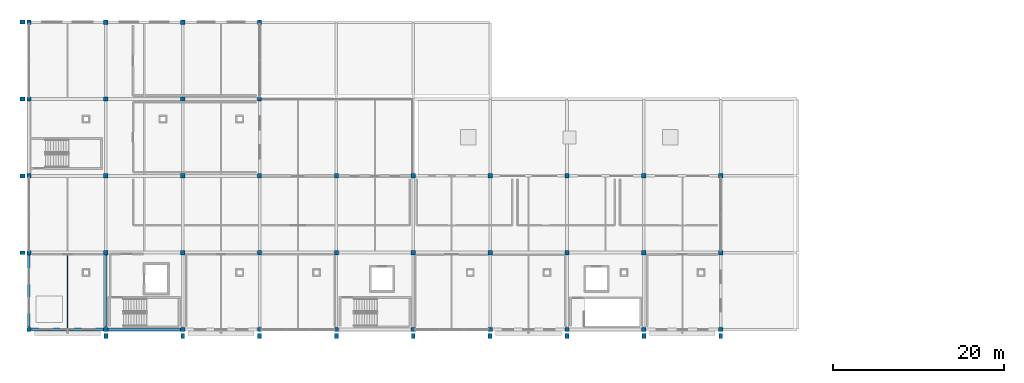
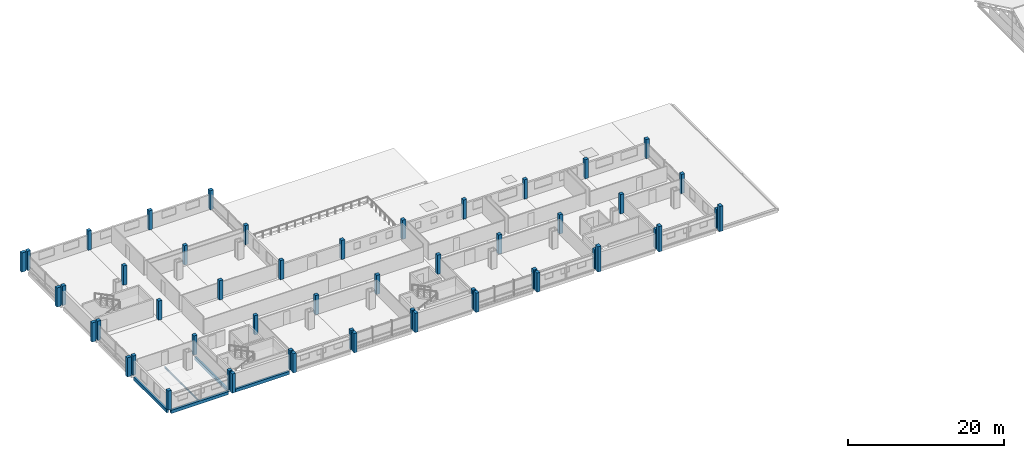
# One storey, part 1 of 25: 51 columns, 5 beams.
"""IFC4 building model written with IfcOpenShell, lengths in metres."""

from ifc_helpers import new_model, si_unit, direction, frame, origin, origin_2d, place, context, subcontext, project, spatial, rectangle, i_section, extrude, material, material_profile, profile_set, type_object, element, save


model = new_model("IFC4")

# Units and contexts
model_context = context("Model", 3, precision=1e-05, world=origin(), true_north=direction((0.0, 1.0)))
body_context = subcontext(model_context, "Body", "Model", "MODEL_VIEW")
ifc_project = project(units=[si_unit("LENGTHUNIT", "METRE"), si_unit("AREAUNIT", "SQUARE_METRE"), si_unit("VOLUMEUNIT", "CUBIC_METRE"), si_unit("PLANEANGLEUNIT", "RADIAN"), si_unit("MASSUNIT", "GRAM", prefix="KILO")], contexts=[model_context])

# Site, building, storey
site_placement = place(None, origin())
site = spatial("IfcSite", under=ifc_project, at=site_placement, CompositionType="ELEMENT")
building_placement = place(site_placement, origin())
building = spatial("IfcBuilding", under=site, at=building_placement, Name="Tharagai Park Tramway Depot", CompositionType="ELEMENT")
storey_placement = place(building_placement, frame((0.0, 0.0, 12.0)))
storey = spatial("IfcBuildingStorey", under=building, at=storey_placement, Name="L03", CompositionType="ELEMENT", Elevation=12.0)

# Columns
ifc_material_1 = material(Name="Concrete M40", Category="concrete")
ifc_material_profile_1 = material_profile(ifc_material_1, rectangle(XDim=0.5, YDim=0.5, at=origin_2d()), Name="RC 500x500")
ifc_profile_set_1 = profile_set([ifc_material_profile_1], Name="Concrete M40")
column_type_1 = type_object("IfcColumnType", Name="CL-13", PredefinedType="COLUMN", material=ifc_profile_set_1)
for number, where, z_axis, x_axis, name in (
    (1, (0.0, 0.0, 0.0), (0.0, 0.0, 1.0), (1.0, 0.0, 0.0), "L03 Structural Column CL-13 (0,0)"),
    (2, (0.0, 9.0, 0.0), (0.0, 0.0, 1.0), (1.0, 0.0, 0.0), "L03 Structural Column CL-13 (0,9)"),
    (3, (0.0, 18.0, 0.0), (0.0, 0.0, 1.0), (1.0, 0.0, 0.0), "L03 Structural Column CL-13 (0,18)"),
    (4, (0.0, 27.0, 0.0), (0.0, 0.0, 1.0), (1.0, 0.0, 0.0), "L03 Structural Column CL-13 (0,27)"),
    (5, (0.0, 36.0, 0.0), (0.0, 0.0, 1.0), (1.0, 0.0, 0.0), "L03 Structural Column CL-13 (0,36)"),
    (6, (9.0, 0.0, 0.0), (0.0, 0.0, 1.0), (1.0, 0.0, 0.0), "L03 Structural Column CL-13 (9,0)"),
    (7, (9.0, 9.0, 0.0), (0.0, 0.0, 1.0), (1.0, 0.0, 0.0), "L03 Structural Column CL-13 (9,9)"),
    (8, (9.0, 18.0, 0.0), (0.0, 0.0, 1.0), (1.0, 0.0, 0.0), "L03 Structural Column CL-13 (9,18)"),
    (9, (9.0, 27.0, 0.0), (0.0, 0.0, 1.0), (1.0, 0.0, 0.0), "L03 Structural Column CL-13 (9,27)"),
    (10, (9.0, 36.0, 0.0), (0.0, 0.0, 1.0), (1.0, 0.0, 0.0), "L03 Structural Column CL-13 (9,36)"),
    (11, (18.0, 0.0, 0.0), (0.0, 0.0, 1.0), (1.0, 0.0, 0.0), "L03 Structural Column CL-13 (18,0)"),
    (12, (18.0, 9.0, 0.0), (0.0, 0.0, 1.0), (1.0, 0.0, 0.0), "L03 Structural Column CL-13 (18,9)"),
    (13, (18.0, 18.0, 0.0), (0.0, 0.0, 1.0), (1.0, 0.0, 0.0), "L03 Structural Column CL-13 (18,18)"),
    (14, (18.0, 27.0, 0.0), (0.0, 0.0, 1.0), (1.0, 0.0, 0.0), "L03 Structural Column CL-13 (18,27)"),
    (15, (18.0, 36.0, 0.0), (0.0, 0.0, 1.0), (1.0, 0.0, 0.0), "L03 Structural Column CL-13 (18,36)"),
    (16, (27.0, 0.0, 0.0), (0.0, 0.0, 1.0), (1.0, 0.0, 0.0), "L03 Structural Column CL-13 (27,0)"),
    (17, (27.0, 9.0, 0.0), (0.0, 0.0, 1.0), (1.0, 0.0, 0.0), "L03 Structural Column CL-13 (27,9)"),
    (18, (27.0, 18.0, 0.0), (0.0, 0.0, 1.0), (1.0, 0.0, 0.0), "L03 Structural Column CL-13 (27,18)"),
    (19, (27.0, 27.0, 0.0), (0.0, 0.0, 1.0), (1.0, 0.0, 0.0), "L03 Structural Column CL-13 (27,27)"),
    (20, (27.0, 36.0, 0.0), (0.0, 0.0, 1.0), (1.0, 0.0, 0.0), "L03 Structural Column CL-13 (27,36)"),
    (21, (36.0, 0.0, 0.0), (0.0, 0.0, 1.0), (1.0, 0.0, 0.0), "L03 Structural Column CL-13 (36,0)"),
    (22, (36.0, 9.0, 0.0), (0.0, 0.0, 1.0), (1.0, 0.0, 0.0), "L03 Structural Column CL-13 (36,9)"),
    (23, (36.0, 18.0, 0.0), (0.0, 0.0, 1.0), (1.0, 0.0, 0.0), "L03 Structural Column CL-13 (36,18)"),
    (24, (45.0, 0.0, 0.0), (0.0, 0.0, 1.0), (1.0, 0.0, 0.0), "L03 Structural Column CL-13 (45,0)"),
    (25, (45.0, 9.0, 0.0), (0.0, 0.0, 1.0), (1.0, 0.0, 0.0), "L03 Structural Column CL-13 (45,9)"),
    (26, (45.0, 18.0, 0.0), (0.0, 0.0, 1.0), (1.0, 0.0, 0.0), "L03 Structural Column CL-13 (45,18)"),
    (27, (54.0, 0.0, 0.0), (0.0, 0.0, 1.0), (1.0, 0.0, 0.0), "L03 Structural Column CL-13 (54,0)"),
    (28, (54.0, 9.0, 0.0), (0.0, 0.0, 1.0), (1.0, 0.0, 0.0), "L03 Structural Column CL-13 (54,9)"),
    (29, (54.0, 18.0, 0.0), (0.0, 0.0, 1.0), (1.0, 0.0, 0.0), "L03 Structural Column CL-13 (54,18)"),
    (30, (63.0, 0.0, 0.0), (0.0, 0.0, 1.0), (1.0, 0.0, 0.0), "L03 Structural Column CL-13 (63,0)"),
    (31, (63.0, 9.0, 0.0), (0.0, 0.0, 1.0), (1.0, 0.0, 0.0), "L03 Structural Column CL-13 (63,9)"),
    (32, (63.0, 18.0, 0.0), (0.0, 0.0, 1.0), (1.0, 0.0, 0.0), "L03 Structural Column CL-13 (63,18)"),
    (33, (72.0, 0.0, 0.0), (0.0, 0.0, 1.0), (1.0, 0.0, 0.0), "L03 Structural Column CL-13 (72,0)"),
    (34, (72.0, 9.0, 0.0), (0.0, 0.0, 1.0), (1.0, 0.0, 0.0), "L03 Structural Column CL-13 (72,9)"),
    (35, (72.0, 18.0, 0.0), (0.0, 0.0, 1.0), (1.0, 0.0, 0.0), "L03 Structural Column CL-13 (72,18)"),
    (36, (81.0, 0.0, 0.0), (0.0, 0.0, 1.0), (1.0, 0.0, 0.0), "L03 Structural Column CL-13 (81,0)"),
    (37, (81.0, 9.0, 0.0), (0.0, 0.0, 1.0), (1.0, 0.0, 0.0), "L03 Structural Column CL-13 (81,9)"),
    (38, (81.0, 18.0, 0.0), (0.0, 0.0, 1.0), (1.0, 0.0, 0.0), "L03 Structural Column CL-13 (81,18)"),
):
    element("IfcColumn", number, at=place(storey_placement, frame(where, z_axis=z_axis, x_axis=x_axis)), inside=storey, type_object=column_type_1, Name=name, PredefinedType="COLUMN", context=body_context, shape_type="SweptSolid", body=[
        extrude(rectangle(XDim=0.5, YDim=0.5, at=origin_2d()), origin(), (0.0, 0.0, 1.0), 3.0),
    ])
ifc_material_profile_2 = material_profile(ifc_material_1, rectangle(XDim=0.449951171875, YDim=0.60009765625, at=origin_2d()), Name="RC 450x600")
ifc_profile_set_2 = profile_set([ifc_material_profile_2], Name="Concrete M40")
column_type_2 = type_object("IfcColumnType", Name="PL-01", PredefinedType="PILASTER", material=ifc_profile_set_2)
for number, where, z_axis, x_axis, name in (
    (39, (9.0, -0.75, 0.0), (0.0, 0.0, 1.0), (1.0, 0.0, 0.0), "L03 Stepped Gothic Buttress PL-01 S4-009"),
    (40, (18.0, -0.75, 0.0), (0.0, 0.0, 1.0), (1.0, 0.0, 0.0), "L03 Stepped Gothic Buttress PL-01 S4-018"),
    (41, (27.0, -0.75, 0.0), (0.0, 0.0, 1.0), (1.0, 0.0, 0.0), "L03 Stepped Gothic Buttress PL-01 S4-027"),
    (42, (36.0, -0.75, 0.0), (0.0, 0.0, 1.0), (1.0, 0.0, 0.0), "L03 Stepped Gothic Buttress PL-01 S4-036"),
    (43, (45.0, -0.75, 0.0), (0.0, 0.0, 1.0), (1.0, 0.0, 0.0), "L03 Stepped Gothic Buttress PL-01 S4-045"),
    (44, (54.0, -0.75, 0.0), (0.0, 0.0, 1.0), (1.0, 0.0, 0.0), "L03 Stepped Gothic Buttress PL-01 S4-054"),
):
    element("IfcColumn", number, at=place(storey_placement, frame(where, z_axis=z_axis, x_axis=x_axis)), inside=storey, type_object=column_type_2, Name=name, PredefinedType="PILASTER", context=body_context, shape_type="SweptSolid", body=[
        extrude(rectangle(XDim=0.449951171875, YDim=0.60009765625, at=origin_2d()), origin(), (0.0, 0.0, 1.0), 3.0),
    ])
for number, where, z_axis, x_axis, name in (
    (45, (63.0, -0.75, 0.0), (0.0, 0.0, 1.0), (1.0, 0.0, 0.0), "L03 Stepped Gothic Buttress PL-01 S4-063"),
    (46, (72.0, -0.75, 0.0), (0.0, 0.0, 1.0), (1.0, 0.0, 0.0), "L03 Stepped Gothic Buttress PL-01 S4-072"),
    (47, (81.0, -0.75, 0.0), (0.0, 0.0, 1.0), (1.0, 0.0, 0.0), "L03 Stepped Gothic Buttress PL-01 S4-081"),
):
    element("IfcColumn", number, at=place(storey_placement, frame(where, z_axis=z_axis, x_axis=x_axis)), inside=storey, type_object=column_type_2, Name=name, PredefinedType="PILASTER", context=body_context, shape_type="SweptSolid", body=[
        extrude(rectangle(XDim=0.449951171875, YDim=0.60009765625, at=origin_2d()), origin(), (0.0, 0.0, 1.0), 3.949951171875),
    ])
for number, where, z_axis, x_axis, name in (
    (48, (-0.75, 9.0, 0.0), (0.0, 0.0, 1.0), (0.0, 1.0, 0.0), "L03 Stepped Gothic Buttress PL-01 W-009"),
    (49, (-0.75, 18.0, 0.0), (0.0, 0.0, 1.0), (0.0, 1.0, 0.0), "L03 Stepped Gothic Buttress PL-01 W-018"),
    (50, (-0.75, 27.0, 0.0), (0.0, 0.0, 1.0), (0.0, 1.0, 0.0), "L03 Stepped Gothic Buttress PL-01 W-027"),
    (51, (-0.75, 36.0, 0.0), (0.0, 0.0, 1.0), (0.0, 1.0, 0.0), "L03 Stepped Gothic Buttress PL-01 W-036"),
):
    element("IfcColumn", number, at=place(storey_placement, frame(where, z_axis=z_axis, x_axis=x_axis)), inside=storey, type_object=column_type_2, Name=name, PredefinedType="PILASTER", context=body_context, shape_type="SweptSolid", body=[
        extrude(rectangle(XDim=0.449951171875, YDim=0.60009765625, at=origin_2d()), origin(), (0.0, 0.0, 1.0), 3.0),
    ])

# Beams
ifc_material_2 = material(Name="Concrete M35", Category="concrete")
ifc_material_profile_3 = material_profile(ifc_material_2, rectangle(XDim=0.300048828125, YDim=0.449951171875, at=origin_2d()), Name="RC 300x450")
ifc_profile_set_3 = profile_set([ifc_material_profile_3], Name="Concrete M35")
beam_type_1 = type_object("IfcBeamType", Name="BM-14", PredefinedType="BEAM", material=ifc_profile_set_3)
beam_1_placement = place(storey_placement, frame((9.0, 0.27490234375, -0.47509765625), z_axis=(0.0, 1.0, 0.0), x_axis=(-1.0, 0.0, 0.0)))
element("IfcBeam", 52, at=beam_1_placement, inside=storey, type_object=beam_type_1, Name="L03 Grid Beam BM-14", PredefinedType="BEAM", context=body_context, shape_type="SweptSolid", body=[
    extrude(rectangle(XDim=0.300048828125, YDim=0.449951171875, at=origin_2d()), origin(), (0.0, 0.0, 1.0), 8.4501953125),
])
ifc_material_3 = material(Name="Steel E250", Category="steel")
ifc_material_profile_4 = material_profile(ifc_material_3, i_section(OverallWidth=0.125, OverallDepth=0.25, WebThickness=0.006103515625, FlangeThickness=0.00830078125, FilletRadius=0.010009765625, at=origin_2d()), Name="ISLB 250")
ifc_profile_set_4 = profile_set([ifc_material_profile_4], Name="Steel E250")
beam_type_2 = type_object("IfcBeamType", Name="JT-04", PredefinedType="JOIST", material=ifc_profile_set_4)
beam_2_placement = place(storey_placement, frame((4.5, 0.159912109375, -0.375), z_axis=(0.0, 1.0, 0.0), x_axis=(-1.0, 0.0, 0.0)))
element("IfcBeam", 53, at=beam_2_placement, inside=storey, type_object=beam_type_2, Name="L03 Secondary Joist JT-04", PredefinedType="JOIST", context=body_context, shape_type="SweptSolid", body=[
    extrude(i_section(OverallWidth=0.125, OverallDepth=0.25, WebThickness=0.006103515625, FlangeThickness=0.00830078125, FilletRadius=0.010009765625, at=origin_2d()), origin(), (0.0, 0.0, 1.0), 8.6650390625),
])
ifc_material_profile_5 = material_profile(ifc_material_2, rectangle(XDim=0.300048828125, YDim=0.5, at=origin_2d()), Name="RC 300x500")
ifc_profile_set_5 = profile_set([ifc_material_profile_5], Name="Concrete M35")
beam_type_3 = type_object("IfcBeamType", Name="SP-03", PredefinedType="SPANDREL", material=ifc_profile_set_5)
beam_3_placement = place(storey_placement, frame((0.0, 0.27490234375, -0.5), z_axis=(0.0, 1.0, 0.0), x_axis=(-1.0, 0.0, 0.0)))
element("IfcBeam", 54, at=beam_3_placement, inside=storey, type_object=beam_type_3, Name="L03 Grid Beam SP-03", PredefinedType="SPANDREL", context=body_context, shape_type="SweptSolid", body=[
    extrude(rectangle(XDim=0.300048828125, YDim=0.5, at=origin_2d()), origin(), (0.0, 0.0, 1.0), 8.4501953125),
])
ifc_material_profile_6 = material_profile(ifc_material_2, rectangle(XDim=0.320068359375, YDim=0.47998046875, at=origin_2d()), Name="RC 320x480")
ifc_profile_set_6 = profile_set([ifc_material_profile_6], Name="Concrete M35")
beam_type_4 = type_object("IfcBeamType", Name="SP-05", PredefinedType="SPANDREL", material=ifc_profile_set_6)
for number, where, z_axis, x_axis, name in (
    (55, (0.27490234375, 0.0, -0.489990234375), (1.0, 0.0, 0.0), (0.0, 1.0, 0.0), "L03 Grid Beam SP-05"),
    (56, (9.27490234375, 0.0, -0.489990234375), (1.0, 0.0, 0.0), (0.0, 1.0, 0.0), "L03 Grid Beam SP-05"),
):
    element("IfcBeam", number, at=place(storey_placement, frame(where, z_axis=z_axis, x_axis=x_axis)), inside=storey, type_object=beam_type_4, Name=name, PredefinedType="SPANDREL", context=body_context, shape_type="SweptSolid", body=[
        extrude(rectangle(XDim=0.320068359375, YDim=0.47998046875, at=origin_2d()), origin(), (0.0, 0.0, 1.0), 8.4501953125),
    ])

save(model, "model.ifc")
